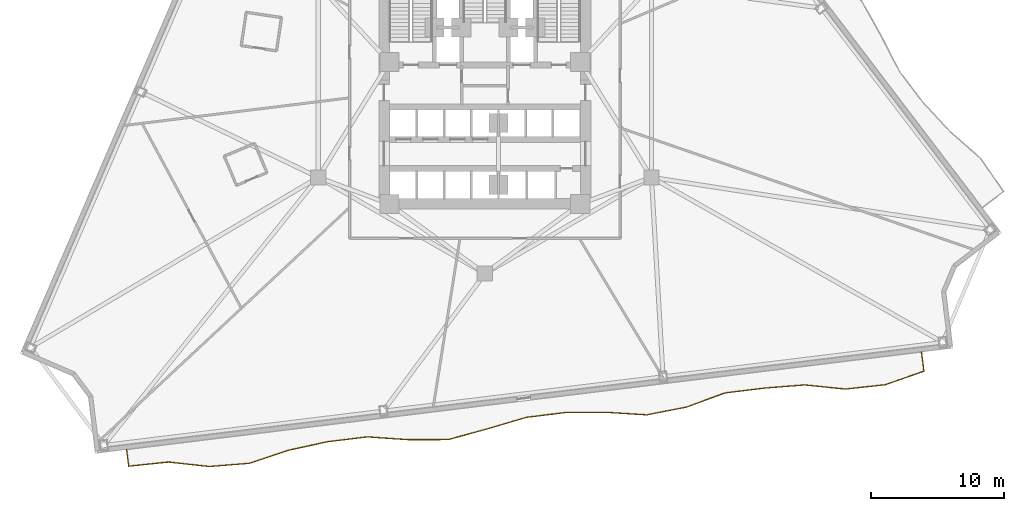
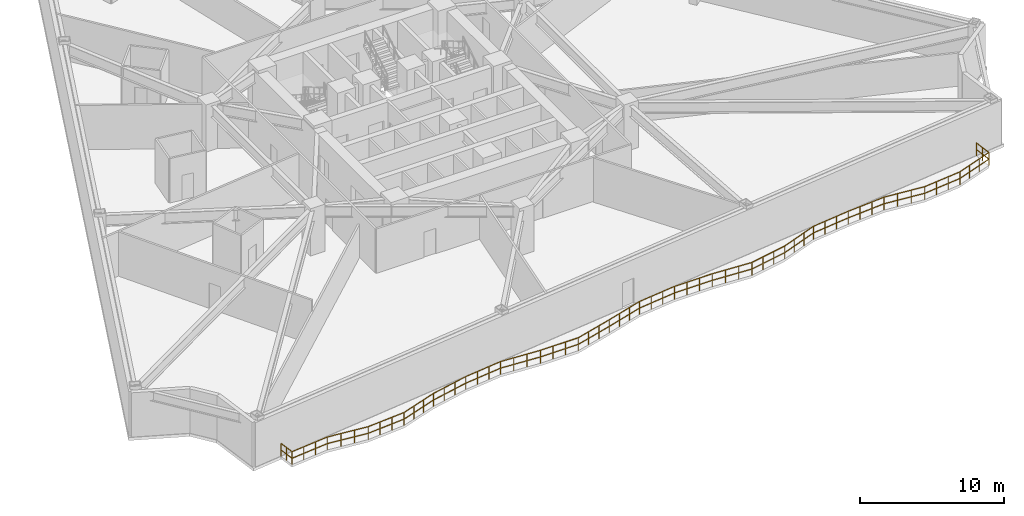
# One storey, part 8 of 10: 1 railing.
"""IFC4 building model written with IfcOpenShell, lengths in metres."""

from ifc_helpers import new_model, si_unit, direction, frame, origin, origin_2d, place, context, subcontext, project, spatial, rectangle, extrude, material, type_object, element, save


model = new_model("IFC4")

# Units and contexts
model_context = context("Model", 3, precision=1e-05, world=origin(), true_north=direction((0.0, 1.0)))
body_context = subcontext(model_context, "Body", "Model", "MODEL_VIEW")
ifc_project = project(units=[si_unit("LENGTHUNIT", "METRE"), si_unit("AREAUNIT", "SQUARE_METRE"), si_unit("VOLUMEUNIT", "CUBIC_METRE"), si_unit("PLANEANGLEUNIT", "RADIAN"), si_unit("MASSUNIT", "GRAM", prefix="KILO")], contexts=[model_context])

# Site, building, storey
site_placement = place(None, origin())
site = spatial("IfcSite", under=ifc_project, at=site_placement, CompositionType="ELEMENT")
building_placement = place(site_placement, origin())
building = spatial("IfcBuilding", under=site, at=building_placement, Name="Apsidion Concourse Tower", CompositionType="ELEMENT")
storey_placement = place(building_placement, frame((0.0, 0.0, 87.0)))
storey = spatial("IfcBuildingStorey", under=building, at=storey_placement, Name="L19", CompositionType="ELEMENT", Elevation=87.0)

# Railing
ifc_material = material(Name="Brushed stainless steel 316", Category="steel")
railing_type = type_object("IfcRailingType", Name="RL-BAL-1120", PredefinedType="BALUSTRADE", material=ifc_material)
railing_placement = place(storey_placement, frame((32.931640625, -20.427734375, 0.0)))
element("IfcRailing", 1, at=railing_placement, inside=storey, type_object=railing_type, Name="L19 Face 2 Rippling Balcony Balustrade", PredefinedType="BALUSTRADE", context=body_context, shape_type="SweptSolid", body=[
    extrude(rectangle(XDim=0.048095703125, YDim=0.048095703125, at=origin_2d()), frame((0.0, 0.0, 1.09619140625), z_axis=(0.1219204061, -0.992539880597, 0.0), x_axis=(0.992539880597, 0.1219204061, 0.0)), (0.0, 0.0, 1.0), 1.44970703125),
    extrude(rectangle(XDim=0.048095703125, YDim=0.048095703125, at=origin_2d()), frame((0.0, 0.0, 0.5361328125), z_axis=(0.1219204061, -0.992539880597, 0.0), x_axis=(0.992539880597, 0.1219204061, 0.0)), (0.0, 0.0, 1.0), 1.44970703125),
    extrude(rectangle(XDim=0.048095703125, YDim=0.048095703125, at=origin_2d()), frame((0.1767578125, -1.43896484375, 1.09619140625), z_axis=(-0.943853429959, -0.33036449984, 0.0), x_axis=(0.33036449984, -0.943853429959, 0.0)), (0.0, 0.0, 1.0), 3.090576171875),
    extrude(rectangle(XDim=0.048095703125, YDim=0.048095703125, at=origin_2d()), frame((0.1767578125, -1.43896484375, 0.5361328125), z_axis=(-0.943853429959, -0.33036449984, 0.0), x_axis=(0.33036449984, -0.943853429959, 0.0)), (0.0, 0.0, 1.0), 3.090576171875),
    extrude(rectangle(XDim=0.048095703125, YDim=0.048095703125, at=origin_2d()), frame((-2.740234375, -2.4599609375, 1.09619140625), z_axis=(-0.994026827701, -0.10913599686, 0.0), x_axis=(0.10913599686, -0.994026827701, 0.0)), (0.0, 0.0, 1.0), 3.02001953125),
    extrude(rectangle(XDim=0.048095703125, YDim=0.048095703125, at=origin_2d()), frame((-2.740234375, -2.4599609375, 0.5361328125), z_axis=(-0.994026827701, -0.10913599686, 0.0), x_axis=(0.10913599686, -0.994026827701, 0.0)), (0.0, 0.0, 1.0), 3.02001953125),
    extrude(rectangle(XDim=0.048095703125, YDim=0.048095703125, at=origin_2d()), frame((-5.7421875, -2.78955078125, 1.09619140625), z_axis=(-0.994847295377, 0.101384707335, 0.0), x_axis=(-0.101384707335, -0.994847295377, 0.0)), (0.0, 0.0, 1.0), 3.0966796875),
    extrude(rectangle(XDim=0.048095703125, YDim=0.048095703125, at=origin_2d()), frame((-5.7421875, -2.78955078125, 0.5361328125), z_axis=(-0.994847295377, 0.101384707335, 0.0), x_axis=(-0.101384707335, -0.994847295377, 0.0)), (0.0, 0.0, 1.0), 3.0966796875),
    extrude(rectangle(XDim=0.048095703125, YDim=0.048095703125, at=origin_2d()), frame((-8.822998046875, -2.4755859375, 1.09619140625), z_axis=(-0.996919459144, -0.078432085143, 0.0), x_axis=(0.078432085143, -0.996919459144, 0.0)), (0.0, 0.0, 1.0), 3.0224609375),
    extrude(rectangle(XDim=0.048095703125, YDim=0.048095703125, at=origin_2d()), frame((-8.822998046875, -2.4755859375, 0.5361328125), z_axis=(-0.996919459144, -0.078432085143, 0.0), x_axis=(0.078432085143, -0.996919459144, 0.0)), (0.0, 0.0, 1.0), 3.0224609375),
    extrude(rectangle(XDim=0.048095703125, YDim=0.048095703125, at=origin_2d()), frame((-11.836181640625, -2.712646484375, 1.09619140625), z_axis=(-0.992550317551, -0.121835409998, 0.0), x_axis=(0.121835409998, -0.992550317551, 0.0)), (0.0, 0.0, 1.0), 3.019775390625),
    extrude(rectangle(XDim=0.048095703125, YDim=0.048095703125, at=origin_2d()), frame((-11.836181640625, -2.712646484375, 0.5361328125), z_axis=(-0.992550317551, -0.121835409998, 0.0), x_axis=(0.121835409998, -0.992550317551, 0.0)), (0.0, 0.0, 1.0), 3.019775390625),
    extrude(rectangle(XDim=0.048095703125, YDim=0.048095703125, at=origin_2d()), frame((-14.83349609375, -3.08056640625, 1.09619140625), z_axis=(-0.938590175793, -0.345034030068, 0.0), x_axis=(0.345034030068, -0.938590175793, 0.0)), (0.0, 0.0, 1.0), 3.101318359375),
    extrude(rectangle(XDim=0.048095703125, YDim=0.048095703125, at=origin_2d()), frame((-14.83349609375, -3.08056640625, 0.5361328125), z_axis=(-0.938590175793, -0.345034030068, 0.0), x_axis=(0.345034030068, -0.938590175793, 0.0)), (0.0, 0.0, 1.0), 3.101318359375),
    extrude(rectangle(XDim=0.048095703125, YDim=0.048095703125, at=origin_2d()), frame((-17.744384765625, -4.150634765625, 1.09619140625), z_axis=(-0.98137580251, -0.192097720567, 0.0), x_axis=(0.192097720567, -0.98137580251, 0.0)), (0.0, 0.0, 1.0), 3.02734375),
    extrude(rectangle(XDim=0.048095703125, YDim=0.048095703125, at=origin_2d()), frame((-17.744384765625, -4.150634765625, 0.5361328125), z_axis=(-0.98137580251, -0.192097720567, 0.0), x_axis=(0.192097720567, -0.98137580251, 0.0)), (0.0, 0.0, 1.0), 3.02734375),
    extrude(rectangle(XDim=0.048095703125, YDim=0.048095703125, at=origin_2d()), frame((-20.71533203125, -4.732177734375, 1.09619140625), z_axis=(-0.998086144034, 0.061838896238, 0.0), x_axis=(-0.061838896238, -0.998086144034, 0.0)), (0.0, 0.0, 1.0), 3.071533203125),
    extrude(rectangle(XDim=0.048095703125, YDim=0.048095703125, at=origin_2d()), frame((-20.71533203125, -4.732177734375, 0.5361328125), z_axis=(-0.998086144034, 0.061838896238, 0.0), x_axis=(-0.061838896238, -0.998086144034, 0.0)), (0.0, 0.0, 1.0), 3.071533203125),
    extrude(rectangle(XDim=0.048095703125, YDim=0.048095703125, at=origin_2d()), frame((-23.781005859375, -4.542236328125, 1.09619140625), z_axis=(-0.999994041378, -0.003452131003, 0.0), x_axis=(0.003452131003, -0.999994041378, 0.0)), (0.0, 0.0, 1.0), 3.041015625),
    extrude(rectangle(XDim=0.048095703125, YDim=0.048095703125, at=origin_2d()), frame((-23.781005859375, -4.542236328125, 0.5361328125), z_axis=(-0.999994041378, -0.003452131003, 0.0), x_axis=(0.003452131003, -0.999994041378, 0.0)), (0.0, 0.0, 1.0), 3.041015625),
    extrude(rectangle(XDim=0.048095703125, YDim=0.048095703125, at=origin_2d()), frame((-26.822021484375, -4.552734375, 1.09619140625), z_axis=(-0.992550317551, -0.121835409998, 0.0), x_axis=(0.121835409998, -0.992550317551, 0.0)), (0.0, 0.0, 1.0), 3.019775390625),
    extrude(rectangle(XDim=0.048095703125, YDim=0.048095703125, at=origin_2d()), frame((-26.822021484375, -4.552734375, 0.5361328125), z_axis=(-0.992550317551, -0.121835409998, 0.0), x_axis=(0.121835409998, -0.992550317551, 0.0)), (0.0, 0.0, 1.0), 3.019775390625),
    extrude(rectangle(XDim=0.048095703125, YDim=0.048095703125, at=origin_2d()), frame((-29.8193359375, -4.920654296875, 1.09619140625), z_axis=(-0.958719240355, -0.284354388348, 0.0), x_axis=(0.284354388348, -0.958719240355, 0.0)), (0.0, 0.0, 1.0), 3.061767578125),
    extrude(rectangle(XDim=0.048095703125, YDim=0.048095703125, at=origin_2d()), frame((-29.8193359375, -4.920654296875, 0.5361328125), z_axis=(-0.958719240355, -0.284354388348, 0.0), x_axis=(0.284354388348, -0.958719240355, 0.0)), (0.0, 0.0, 1.0), 3.061767578125),
    extrude(rectangle(XDim=0.048095703125, YDim=0.048095703125, at=origin_2d()), frame((-32.754638671875, -5.791259765625, 1.09619140625), z_axis=(-0.964397383229, -0.264457344804, 0.0), x_axis=(0.264457344804, -0.964397383229, 0.0)), (0.0, 0.0, 1.0), 3.052001953125),
    extrude(rectangle(XDim=0.048095703125, YDim=0.048095703125, at=origin_2d()), frame((-32.754638671875, -5.791259765625, 0.5361328125), z_axis=(-0.964397383229, -0.264457344804, 0.0), x_axis=(0.264457344804, -0.964397383229, 0.0)), (0.0, 0.0, 1.0), 3.052001953125),
    extrude(rectangle(XDim=0.048095703125, YDim=0.048095703125, at=origin_2d()), frame((-35.697998046875, -6.598388671875, 1.09619140625), z_axis=(-0.99999961031, -0.000882824696, 0.0), x_axis=(0.000882824696, -0.99999961031, 0.0)), (0.0, 0.0, 1.0), 3.0419921875),
    extrude(rectangle(XDim=0.048095703125, YDim=0.048095703125, at=origin_2d()), frame((-35.697998046875, -6.598388671875, 0.5361328125), z_axis=(-0.99999961031, -0.000882824696, 0.0), x_axis=(0.000882824696, -0.99999961031, 0.0)), (0.0, 0.0, 1.0), 3.0419921875),
    extrude(rectangle(XDim=0.048095703125, YDim=0.048095703125, at=origin_2d()), frame((-38.739990234375, -6.60107421875, 1.09619140625), z_axis=(-0.997698609071, 0.06780475984, 0.0), x_axis=(-0.06780475984, -0.997698609071, 0.0)), (0.0, 0.0, 1.0), 3.074951171875),
    extrude(rectangle(XDim=0.048095703125, YDim=0.048095703125, at=origin_2d()), frame((-38.739990234375, -6.60107421875, 0.5361328125), z_axis=(-0.997698609071, 0.06780475984, 0.0), x_axis=(-0.06780475984, -0.997698609071, 0.0)), (0.0, 0.0, 1.0), 3.074951171875),
    extrude(rectangle(XDim=0.048095703125, YDim=0.048095703125, at=origin_2d()), frame((-41.807861328125, -6.392578125, 1.09619140625), z_axis=(-0.992539336111, -0.121924838616, 0.0), x_axis=(0.121924838616, -0.992539336111, 0.0)), (0.0, 0.0, 1.0), 3.01953125),
    extrude(rectangle(XDim=0.048095703125, YDim=0.048095703125, at=origin_2d()), frame((-41.807861328125, -6.392578125, 0.5361328125), z_axis=(-0.992539336111, -0.121924838616, 0.0), x_axis=(0.121924838616, -0.992539336111, 0.0)), (0.0, 0.0, 1.0), 3.01953125),
    extrude(rectangle(XDim=0.048095703125, YDim=0.048095703125, at=origin_2d()), frame((-44.804931640625, -6.7607421875, 1.09619140625), z_axis=(-0.977067250856, -0.212930944922, 0.0), x_axis=(0.212930944922, -0.977067250856, 0.0)), (0.0, 0.0, 1.0), 3.03271484375),
    extrude(rectangle(XDim=0.048095703125, YDim=0.048095703125, at=origin_2d()), frame((-44.804931640625, -6.7607421875, 0.5361328125), z_axis=(-0.977067250856, -0.212930944922, 0.0), x_axis=(0.212930944922, -0.977067250856, 0.0)), (0.0, 0.0, 1.0), 3.03271484375),
    extrude(rectangle(XDim=0.048095703125, YDim=0.048095703125, at=origin_2d()), frame((-47.76806640625, -7.406494140625, 1.09619140625), z_axis=(-0.948302340506, -0.31736835222, 0.0), x_axis=(0.31736835222, -0.948302340506, 0.0)), (0.0, 0.0, 1.0), 3.081787109375),
    extrude(rectangle(XDim=0.048095703125, YDim=0.048095703125, at=origin_2d()), frame((-47.76806640625, -7.406494140625, 0.5361328125), z_axis=(-0.948302340506, -0.31736835222, 0.0), x_axis=(0.31736835222, -0.948302340506, 0.0)), (0.0, 0.0, 1.0), 3.081787109375),
    extrude(rectangle(XDim=0.048095703125, YDim=0.048095703125, at=origin_2d()), frame((-50.6904296875, -8.384521484375, 1.09619140625), z_axis=(-0.996816562656, -0.079729169153, 0.0), x_axis=(0.079729169153, -0.996816562656, 0.0)), (0.0, 0.0, 1.0), 3.022216796875),
    extrude(rectangle(XDim=0.048095703125, YDim=0.048095703125, at=origin_2d()), frame((-50.6904296875, -8.384521484375, 0.5361328125), z_axis=(-0.996816562656, -0.079729169153, 0.0), x_axis=(0.079729169153, -0.996816562656, 0.0)), (0.0, 0.0, 1.0), 3.022216796875),
    extrude(rectangle(XDim=0.048095703125, YDim=0.048095703125, at=origin_2d()), frame((-53.703125, -8.62548828125, 1.09619140625), z_axis=(-0.994067570887, 0.10876426118, 0.0), x_axis=(-0.10876426118, -0.994067570887, 0.0)), (0.0, 0.0, 1.0), 3.10205078125),
    extrude(rectangle(XDim=0.048095703125, YDim=0.048095703125, at=origin_2d()), frame((-53.703125, -8.62548828125, 0.5361328125), z_axis=(-0.994067570887, 0.10876426118, 0.0), x_axis=(-0.10876426118, -0.994067570887, 0.0)), (0.0, 0.0, 1.0), 3.10205078125),
    extrude(rectangle(XDim=0.048095703125, YDim=0.048095703125, at=origin_2d()), frame((-56.786865234375, -8.2880859375, 1.09619140625), z_axis=(-0.994633149107, -0.103464480362, 0.0), x_axis=(0.103464480362, -0.994633149107, 0.0)), (0.0, 0.0, 1.0), 3.020263671875),
    extrude(rectangle(XDim=0.048095703125, YDim=0.048095703125, at=origin_2d()), frame((-56.786865234375, -8.2880859375, 0.5361328125), z_axis=(-0.994633149107, -0.103464480362, 0.0), x_axis=(0.103464480362, -0.994633149107, 0.0)), (0.0, 0.0, 1.0), 3.020263671875),
    extrude(rectangle(XDim=0.048095703125, YDim=0.048095703125, at=origin_2d()), frame((-59.791015625, -8.6005859375, 1.09619140625), z_axis=(-0.121871048404, 0.992545942292, 0.0), x_axis=(-0.992545942292, -0.121871048404, 0.0)), (0.0, 0.0, 1.0), 1.25),
    extrude(rectangle(XDim=0.048095703125, YDim=0.048095703125, at=origin_2d()), frame((-59.791015625, -8.6005859375, 0.5361328125), z_axis=(-0.121871048404, 0.992545942292, 0.0), x_axis=(-0.992545942292, -0.121871048404, 0.0)), (0.0, 0.0, 1.0), 1.25),
    extrude(rectangle(XDim=0.0419921875, YDim=0.0419921875, at=origin_2d()), origin(), (0.0, 0.0, 1.0), 1.072021484375),
    extrude(rectangle(XDim=0.0419921875, YDim=0.0419921875, at=origin_2d()), frame((0.08837890625, -0.719482421875, 0.0)), (0.0, 0.0, 1.0), 1.072021484375),
    extrude(rectangle(XDim=0.0419921875, YDim=0.0419921875, at=origin_2d()), frame((0.1767578125, -1.43896484375, 0.0)), (0.0, 0.0, 1.0), 1.072021484375),
    extrude(rectangle(XDim=0.0419921875, YDim=0.0419921875, at=origin_2d()), frame((-0.795654296875, -1.779296875, 0.0)), (0.0, 0.0, 1.0), 1.072021484375),
    extrude(rectangle(XDim=0.0419921875, YDim=0.0419921875, at=origin_2d()), frame((-1.767822265625, -2.11962890625, 0.0)), (0.0, 0.0, 1.0), 1.072021484375),
    extrude(rectangle(XDim=0.0419921875, YDim=0.0419921875, at=origin_2d()), frame((-2.740234375, -2.4599609375, 0.0)), (0.0, 0.0, 1.0), 1.072021484375),
    extrude(rectangle(XDim=0.0419921875, YDim=0.0419921875, at=origin_2d()), frame((-3.740966796875, -2.56982421875, 0.0)), (0.0, 0.0, 1.0), 1.072021484375),
    extrude(rectangle(XDim=0.0419921875, YDim=0.0419921875, at=origin_2d()), frame((-4.741455078125, -2.6796875, 0.0)), (0.0, 0.0, 1.0), 1.072021484375),
    extrude(rectangle(XDim=0.0419921875, YDim=0.0419921875, at=origin_2d()), frame((-5.7421875, -2.78955078125, 0.0)), (0.0, 0.0, 1.0), 1.072021484375),
    extrude(rectangle(XDim=0.0419921875, YDim=0.0419921875, at=origin_2d()), frame((-6.76904296875, -2.684814453125, 0.0)), (0.0, 0.0, 1.0), 1.072021484375),
    extrude(rectangle(XDim=0.0419921875, YDim=0.0419921875, at=origin_2d()), frame((-7.796142578125, -2.580322265625, 0.0)), (0.0, 0.0, 1.0), 1.072021484375),
    extrude(rectangle(XDim=0.0419921875, YDim=0.0419921875, at=origin_2d()), frame((-8.822998046875, -2.4755859375, 0.0)), (0.0, 0.0, 1.0), 1.072021484375),
    extrude(rectangle(XDim=0.0419921875, YDim=0.0419921875, at=origin_2d()), frame((-9.827392578125, -2.5546875, 0.0)), (0.0, 0.0, 1.0), 1.072021484375),
    extrude(rectangle(XDim=0.0419921875, YDim=0.0419921875, at=origin_2d()), frame((-10.831787109375, -2.633544921875, 0.0)), (0.0, 0.0, 1.0), 1.072021484375),
    extrude(rectangle(XDim=0.0419921875, YDim=0.0419921875, at=origin_2d()), frame((-11.836181640625, -2.712646484375, 0.0)), (0.0, 0.0, 1.0), 1.072021484375),
    extrude(rectangle(XDim=0.0419921875, YDim=0.0419921875, at=origin_2d()), frame((-12.835205078125, -2.835205078125, 0.0)), (0.0, 0.0, 1.0), 1.072021484375),
    extrude(rectangle(XDim=0.0419921875, YDim=0.0419921875, at=origin_2d()), frame((-13.83447265625, -2.9580078125, 0.0)), (0.0, 0.0, 1.0), 1.072021484375),
    extrude(rectangle(XDim=0.0419921875, YDim=0.0419921875, at=origin_2d()), frame((-14.83349609375, -3.08056640625, 0.0)), (0.0, 0.0, 1.0), 1.072021484375),
    extrude(rectangle(XDim=0.0419921875, YDim=0.0419921875, at=origin_2d()), frame((-15.8037109375, -3.437255859375, 0.0)), (0.0, 0.0, 1.0), 1.072021484375),
    extrude(rectangle(XDim=0.0419921875, YDim=0.0419921875, at=origin_2d()), frame((-16.774169921875, -3.7939453125, 0.0)), (0.0, 0.0, 1.0), 1.072021484375),
    extrude(rectangle(XDim=0.0419921875, YDim=0.0419921875, at=origin_2d()), frame((-17.744384765625, -4.150634765625, 0.0)), (0.0, 0.0, 1.0), 1.072021484375),
    extrude(rectangle(XDim=0.0419921875, YDim=0.0419921875, at=origin_2d()), frame((-18.734619140625, -4.344482421875, 0.0)), (0.0, 0.0, 1.0), 1.072021484375),
    extrude(rectangle(XDim=0.0419921875, YDim=0.0419921875, at=origin_2d()), frame((-19.72509765625, -4.538330078125, 0.0)), (0.0, 0.0, 1.0), 1.072021484375),
    extrude(rectangle(XDim=0.0419921875, YDim=0.0419921875, at=origin_2d()), frame((-20.71533203125, -4.732177734375, 0.0)), (0.0, 0.0, 1.0), 1.072021484375),
    extrude(rectangle(XDim=0.0419921875, YDim=0.0419921875, at=origin_2d()), frame((-21.7373046875, -4.6689453125, 0.0)), (0.0, 0.0, 1.0), 1.072021484375),
    extrude(rectangle(XDim=0.0419921875, YDim=0.0419921875, at=origin_2d()), frame((-22.759033203125, -4.60546875, 0.0)), (0.0, 0.0, 1.0), 1.072021484375),
    extrude(rectangle(XDim=0.0419921875, YDim=0.0419921875, at=origin_2d()), frame((-23.781005859375, -4.542236328125, 0.0)), (0.0, 0.0, 1.0), 1.072021484375),
    extrude(rectangle(XDim=0.0419921875, YDim=0.0419921875, at=origin_2d()), frame((-24.794677734375, -4.545654296875, 0.0)), (0.0, 0.0, 1.0), 1.072021484375),
    extrude(rectangle(XDim=0.0419921875, YDim=0.0419921875, at=origin_2d()), frame((-25.808349609375, -4.54931640625, 0.0)), (0.0, 0.0, 1.0), 1.072021484375),
    extrude(rectangle(XDim=0.0419921875, YDim=0.0419921875, at=origin_2d()), frame((-26.822021484375, -4.552734375, 0.0)), (0.0, 0.0, 1.0), 1.072021484375),
    extrude(rectangle(XDim=0.0419921875, YDim=0.0419921875, at=origin_2d()), frame((-27.821044921875, -4.67529296875, 0.0)), (0.0, 0.0, 1.0), 1.072021484375),
    extrude(rectangle(XDim=0.0419921875, YDim=0.0419921875, at=origin_2d()), frame((-28.8203125, -4.798095703125, 0.0)), (0.0, 0.0, 1.0), 1.072021484375),
    extrude(rectangle(XDim=0.0419921875, YDim=0.0419921875, at=origin_2d()), frame((-29.8193359375, -4.920654296875, 0.0)), (0.0, 0.0, 1.0), 1.072021484375),
    extrude(rectangle(XDim=0.0419921875, YDim=0.0419921875, at=origin_2d()), frame((-30.7978515625, -5.2109375, 0.0)), (0.0, 0.0, 1.0), 1.072021484375),
    extrude(rectangle(XDim=0.0419921875, YDim=0.0419921875, at=origin_2d()), frame((-31.776123046875, -5.5009765625, 0.0)), (0.0, 0.0, 1.0), 1.072021484375),
    extrude(rectangle(XDim=0.0419921875, YDim=0.0419921875, at=origin_2d()), frame((-32.754638671875, -5.791259765625, 0.0)), (0.0, 0.0, 1.0), 1.072021484375),
    extrude(rectangle(XDim=0.0419921875, YDim=0.0419921875, at=origin_2d()), frame((-33.73583984375, -6.060302734375, 0.0)), (0.0, 0.0, 1.0), 1.072021484375),
    extrude(rectangle(XDim=0.0419921875, YDim=0.0419921875, at=origin_2d()), frame((-34.716796875, -6.329345703125, 0.0)), (0.0, 0.0, 1.0), 1.072021484375),
    extrude(rectangle(XDim=0.0419921875, YDim=0.0419921875, at=origin_2d()), frame((-35.697998046875, -6.598388671875, 0.0)), (0.0, 0.0, 1.0), 1.072021484375),
    extrude(rectangle(XDim=0.0419921875, YDim=0.0419921875, at=origin_2d()), frame((-36.7119140625, -6.599365234375, 0.0)), (0.0, 0.0, 1.0), 1.072021484375),
    extrude(rectangle(XDim=0.0419921875, YDim=0.0419921875, at=origin_2d()), frame((-37.72607421875, -6.60009765625, 0.0)), (0.0, 0.0, 1.0), 1.072021484375),
    extrude(rectangle(XDim=0.0419921875, YDim=0.0419921875, at=origin_2d()), frame((-38.739990234375, -6.60107421875, 0.0)), (0.0, 0.0, 1.0), 1.072021484375),
    extrude(rectangle(XDim=0.0419921875, YDim=0.0419921875, at=origin_2d()), frame((-39.7626953125, -6.531494140625, 0.0)), (0.0, 0.0, 1.0), 1.072021484375),
    extrude(rectangle(XDim=0.0419921875, YDim=0.0419921875, at=origin_2d()), frame((-40.78515625, -6.462158203125, 0.0)), (0.0, 0.0, 1.0), 1.072021484375),
    extrude(rectangle(XDim=0.0419921875, YDim=0.0419921875, at=origin_2d()), frame((-41.807861328125, -6.392578125, 0.0)), (0.0, 0.0, 1.0), 1.072021484375),
    extrude(rectangle(XDim=0.0419921875, YDim=0.0419921875, at=origin_2d()), frame((-42.806884765625, -6.515380859375, 0.0)), (0.0, 0.0, 1.0), 1.072021484375),
    extrude(rectangle(XDim=0.0419921875, YDim=0.0419921875, at=origin_2d()), frame((-43.805908203125, -6.637939453125, 0.0)), (0.0, 0.0, 1.0), 1.072021484375),
    extrude(rectangle(XDim=0.0419921875, YDim=0.0419921875, at=origin_2d()), frame((-44.804931640625, -6.7607421875, 0.0)), (0.0, 0.0, 1.0), 1.072021484375),
    extrude(rectangle(XDim=0.0419921875, YDim=0.0419921875, at=origin_2d()), frame((-45.792724609375, -6.97607421875, 0.0)), (0.0, 0.0, 1.0), 1.072021484375),
    extrude(rectangle(XDim=0.0419921875, YDim=0.0419921875, at=origin_2d()), frame((-46.7802734375, -7.191162109375, 0.0)), (0.0, 0.0, 1.0), 1.072021484375),
    extrude(rectangle(XDim=0.0419921875, YDim=0.0419921875, at=origin_2d()), frame((-47.76806640625, -7.406494140625, 0.0)), (0.0, 0.0, 1.0), 1.072021484375),
    extrude(rectangle(XDim=0.0419921875, YDim=0.0419921875, at=origin_2d()), frame((-48.7421875, -7.732421875, 0.0)), (0.0, 0.0, 1.0), 1.072021484375),
    extrude(rectangle(XDim=0.0419921875, YDim=0.0419921875, at=origin_2d()), frame((-49.71630859375, -8.05859375, 0.0)), (0.0, 0.0, 1.0), 1.072021484375),
    extrude(rectangle(XDim=0.0419921875, YDim=0.0419921875, at=origin_2d()), frame((-50.6904296875, -8.384521484375, 0.0)), (0.0, 0.0, 1.0), 1.072021484375),
    extrude(rectangle(XDim=0.0419921875, YDim=0.0419921875, at=origin_2d()), frame((-51.694580078125, -8.46484375, 0.0)), (0.0, 0.0, 1.0), 1.072021484375),
    extrude(rectangle(XDim=0.0419921875, YDim=0.0419921875, at=origin_2d()), frame((-52.698974609375, -8.545166015625, 0.0)), (0.0, 0.0, 1.0), 1.072021484375),
    extrude(rectangle(XDim=0.0419921875, YDim=0.0419921875, at=origin_2d()), frame((-53.703125, -8.62548828125, 0.0)), (0.0, 0.0, 1.0), 1.072021484375),
    extrude(rectangle(XDim=0.0419921875, YDim=0.0419921875, at=origin_2d()), frame((-54.73095703125, -8.512939453125, 0.0)), (0.0, 0.0, 1.0), 1.072021484375),
    extrude(rectangle(XDim=0.0419921875, YDim=0.0419921875, at=origin_2d()), frame((-55.759033203125, -8.400634765625, 0.0)), (0.0, 0.0, 1.0), 1.072021484375),
    extrude(rectangle(XDim=0.0419921875, YDim=0.0419921875, at=origin_2d()), frame((-56.786865234375, -8.2880859375, 0.0)), (0.0, 0.0, 1.0), 1.072021484375),
    extrude(rectangle(XDim=0.0419921875, YDim=0.0419921875, at=origin_2d()), frame((-57.788330078125, -8.392333984375, 0.0)), (0.0, 0.0, 1.0), 1.072021484375),
    extrude(rectangle(XDim=0.0419921875, YDim=0.0419921875, at=origin_2d()), frame((-58.78955078125, -8.496337890625, 0.0)), (0.0, 0.0, 1.0), 1.072021484375),
    extrude(rectangle(XDim=0.0419921875, YDim=0.0419921875, at=origin_2d()), frame((-59.791015625, -8.6005859375, 0.0)), (0.0, 0.0, 1.0), 1.072021484375),
    extrude(rectangle(XDim=0.0419921875, YDim=0.0419921875, at=origin_2d()), frame((-59.8671875, -7.980224609375, 0.0)), (0.0, 0.0, 1.0), 1.072021484375),
    extrude(rectangle(XDim=0.0419921875, YDim=0.0419921875, at=origin_2d()), frame((-59.943359375, -7.35986328125, 0.0)), (0.0, 0.0, 1.0), 1.072021484375),
])

save(model, "model.ifc")
